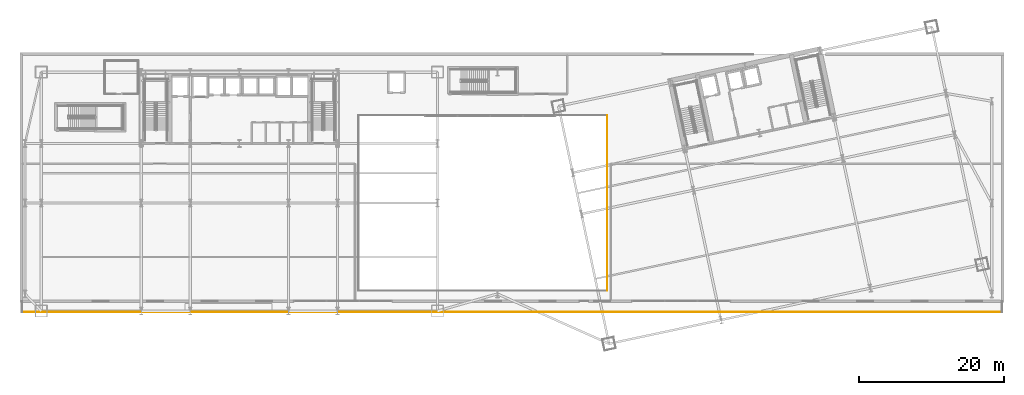
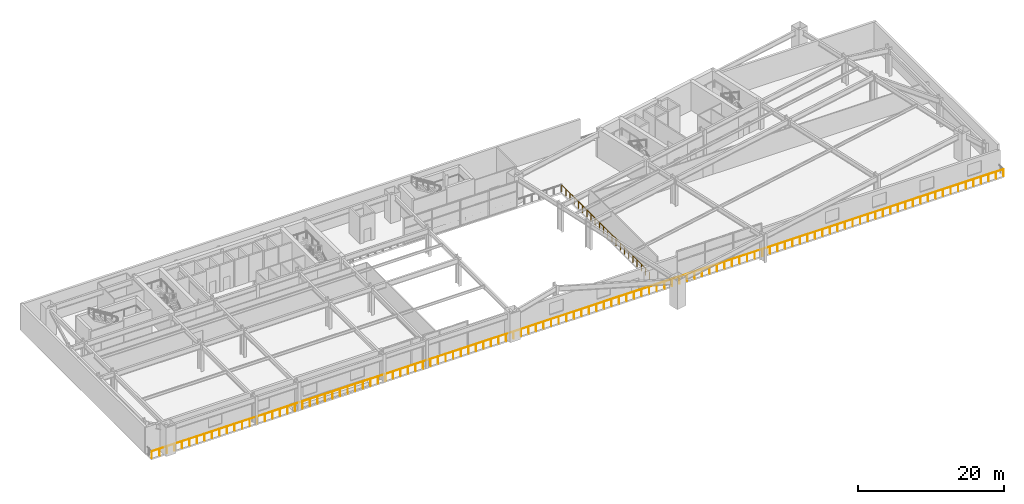
# One storey, part 31 of 35: 2 railings.
"""IFC4 building model written with IfcOpenShell, lengths in metres."""

from ifc_helpers import new_model, si_unit, direction, frame, origin, origin_2d, place, context, subcontext, project, spatial, rectangle, extrude, material, type_object, element, save


model = new_model("IFC4")

# Units and contexts
model_context = context("Model", 3, precision=1e-05, world=origin(), true_north=direction((0.0, 1.0)))
body_context = subcontext(model_context, "Body", "Model", "MODEL_VIEW")
ifc_project = project(units=[si_unit("LENGTHUNIT", "METRE"), si_unit("AREAUNIT", "SQUARE_METRE"), si_unit("VOLUMEUNIT", "CUBIC_METRE"), si_unit("PLANEANGLEUNIT", "RADIAN"), si_unit("MASSUNIT", "GRAM", prefix="KILO")], contexts=[model_context])

# Site, building, storey
site_placement = place(None, origin())
site = spatial("IfcSite", under=ifc_project, at=site_placement, CompositionType="ELEMENT")
building_placement = place(site_placement, origin())
building = spatial("IfcBuilding", under=site, at=building_placement, Name="Haevon Station Towers", CompositionType="ELEMENT")
storey_placement = place(building_placement, frame((0.0, 0.0, 20.39990234375)))
storey = spatial("IfcBuildingStorey", under=building, at=storey_placement, Name="L04", CompositionType="ELEMENT", Elevation=20.39990234375)

# Railings
ifc_material = material(Name="Steel S355", Category="steel")
railing_type_1 = type_object("IfcRailingType", Name="BAL-ATR1200", PredefinedType="BALUSTRADE", material=ifc_material)
railing_1_placement = place(storey_placement, frame((88.09814453125, 17.930908203125, 0.0)))
element("IfcRailing", 1, at=railing_1_placement, inside=storey, type_object=railing_type_1, Name="L04 Atrium Void Balustrade 2", PredefinedType="BALUSTRADE", context=body_context, shape_type="SweptSolid", body=[
    extrude(rectangle(XDim=0.048095703125, YDim=0.048095703125, at=origin_2d()), frame((0.0, 0.0, 1.17578125), z_axis=(0.0, 1.0, 0.0), x_axis=(-1.0, 0.0, 0.0)), (0.0, 0.0, 1.0), 24.13818359375),
    extrude(rectangle(XDim=0.0419921875, YDim=0.0419921875, at=origin_2d()), origin(), (0.0, 0.0, 1.0), 1.15185546875),
    extrude(rectangle(XDim=0.0419921875, YDim=0.0419921875, at=origin_2d()), frame((0.0, 1.1494140625, 0.0)), (0.0, 0.0, 1.0), 1.15185546875),
    extrude(rectangle(XDim=0.0419921875, YDim=0.0419921875, at=origin_2d()), frame((0.0, 2.298828125, 0.0)), (0.0, 0.0, 1.0), 1.15185546875),
    extrude(rectangle(XDim=0.0419921875, YDim=0.0419921875, at=origin_2d()), frame((0.0, 3.4482421875, 0.0)), (0.0, 0.0, 1.0), 1.15185546875),
    extrude(rectangle(XDim=0.0419921875, YDim=0.0419921875, at=origin_2d()), frame((0.0, 4.59765625, 0.0)), (0.0, 0.0, 1.0), 1.15185546875),
    extrude(rectangle(XDim=0.0419921875, YDim=0.0419921875, at=origin_2d()), frame((0.0, 5.7470703125, 0.0)), (0.0, 0.0, 1.0), 1.15185546875),
    extrude(rectangle(XDim=0.0419921875, YDim=0.0419921875, at=origin_2d()), frame((0.0, 6.896728515625, 0.0)), (0.0, 0.0, 1.0), 1.15185546875),
    extrude(rectangle(XDim=0.0419921875, YDim=0.0419921875, at=origin_2d()), frame((0.0, 8.046142578125, 0.0)), (0.0, 0.0, 1.0), 1.15185546875),
    extrude(rectangle(XDim=0.0419921875, YDim=0.0419921875, at=origin_2d()), frame((0.0, 9.195556640625, 0.0)), (0.0, 0.0, 1.0), 1.15185546875),
    extrude(rectangle(XDim=0.0419921875, YDim=0.0419921875, at=origin_2d()), frame((0.0, 10.344970703125, 0.0)), (0.0, 0.0, 1.0), 1.15185546875),
    extrude(rectangle(XDim=0.0419921875, YDim=0.0419921875, at=origin_2d()), frame((0.0, 11.494384765625, 0.0)), (0.0, 0.0, 1.0), 1.15185546875),
    extrude(rectangle(XDim=0.0419921875, YDim=0.0419921875, at=origin_2d()), frame((0.0, 12.643798828125, 0.0)), (0.0, 0.0, 1.0), 1.15185546875),
    extrude(rectangle(XDim=0.0419921875, YDim=0.0419921875, at=origin_2d()), frame((0.0, 13.793212890625, 0.0)), (0.0, 0.0, 1.0), 1.15185546875),
    extrude(rectangle(XDim=0.0419921875, YDim=0.0419921875, at=origin_2d()), frame((0.0, 14.942626953125, 0.0)), (0.0, 0.0, 1.0), 1.15185546875),
    extrude(rectangle(XDim=0.0419921875, YDim=0.0419921875, at=origin_2d()), frame((0.0, 16.092041015625, 0.0)), (0.0, 0.0, 1.0), 1.15185546875),
    extrude(rectangle(XDim=0.0419921875, YDim=0.0419921875, at=origin_2d()), frame((0.0, 17.241455078125, 0.0)), (0.0, 0.0, 1.0), 1.15185546875),
    extrude(rectangle(XDim=0.0419921875, YDim=0.0419921875, at=origin_2d()), frame((0.0, 18.39111328125, 0.0)), (0.0, 0.0, 1.0), 1.15185546875),
    extrude(rectangle(XDim=0.0419921875, YDim=0.0419921875, at=origin_2d()), frame((0.0, 19.54052734375, 0.0)), (0.0, 0.0, 1.0), 1.15185546875),
    extrude(rectangle(XDim=0.0419921875, YDim=0.0419921875, at=origin_2d()), frame((0.0, 20.68994140625, 0.0)), (0.0, 0.0, 1.0), 1.15185546875),
    extrude(rectangle(XDim=0.0419921875, YDim=0.0419921875, at=origin_2d()), frame((0.0, 21.83935546875, 0.0)), (0.0, 0.0, 1.0), 1.15185546875),
    extrude(rectangle(XDim=0.0419921875, YDim=0.0419921875, at=origin_2d()), frame((0.0, 22.98876953125, 0.0)), (0.0, 0.0, 1.0), 1.15185546875),
    extrude(rectangle(XDim=0.0419921875, YDim=0.0419921875, at=origin_2d()), frame((0.0, 24.13818359375, 0.0)), (0.0, 0.0, 1.0), 1.15185546875),
])
railing_type_2 = type_object("IfcRailingType", Name="GRD-EXT1200", PredefinedType="GUARDRAIL", material=ifc_material)
railing_2_placement = place(storey_placement, frame((7.580078125, 15.0009765625, 0.0)))
element("IfcRailing", 2, at=railing_2_placement, inside=storey, type_object=railing_type_2, Name="L04 Perimeter Guardrail 1", PredefinedType="GUARDRAIL", context=body_context, shape_type="SweptSolid", body=[
    extrude(rectangle(XDim=0.048095703125, YDim=0.048095703125, at=origin_2d()), frame((0.0, 0.0, 1.17578125), z_axis=(1.0, 0.0, 0.0), x_axis=(0.0, 1.0, 0.0)), (0.0, 0.0, 1.0), 134.83984375),
    extrude(rectangle(XDim=0.0419921875, YDim=0.0419921875, at=origin_2d()), origin(), (0.0, 0.0, 1.0), 1.15185546875),
    extrude(rectangle(XDim=0.0419921875, YDim=0.0419921875, at=origin_2d()), frame((1.193359375, 0.0, 0.0)), (0.0, 0.0, 1.0), 1.15185546875),
    extrude(rectangle(XDim=0.0419921875, YDim=0.0419921875, at=origin_2d()), frame((2.386474609375, 0.0, 0.0)), (0.0, 0.0, 1.0), 1.15185546875),
    extrude(rectangle(XDim=0.0419921875, YDim=0.0419921875, at=origin_2d()), frame((3.579833984375, 0.0, 0.0)), (0.0, 0.0, 1.0), 1.15185546875),
    extrude(rectangle(XDim=0.0419921875, YDim=0.0419921875, at=origin_2d()), frame((4.773193359375, 0.0, 0.0)), (0.0, 0.0, 1.0), 1.15185546875),
    extrude(rectangle(XDim=0.0419921875, YDim=0.0419921875, at=origin_2d()), frame((5.96630859375, 0.0, 0.0)), (0.0, 0.0, 1.0), 1.15185546875),
    extrude(rectangle(XDim=0.0419921875, YDim=0.0419921875, at=origin_2d()), frame((7.15966796875, 0.0, 0.0)), (0.0, 0.0, 1.0), 1.15185546875),
    extrude(rectangle(XDim=0.0419921875, YDim=0.0419921875, at=origin_2d()), frame((8.35302734375, 0.0, 0.0)), (0.0, 0.0, 1.0), 1.15185546875),
    extrude(rectangle(XDim=0.0419921875, YDim=0.0419921875, at=origin_2d()), frame((9.546142578125, 0.0, 0.0)), (0.0, 0.0, 1.0), 1.15185546875),
    extrude(rectangle(XDim=0.0419921875, YDim=0.0419921875, at=origin_2d()), frame((10.739501953125, 0.0, 0.0)), (0.0, 0.0, 1.0), 1.15185546875),
    extrude(rectangle(XDim=0.0419921875, YDim=0.0419921875, at=origin_2d()), frame((11.9326171875, 0.0, 0.0)), (0.0, 0.0, 1.0), 1.15185546875),
    extrude(rectangle(XDim=0.0419921875, YDim=0.0419921875, at=origin_2d()), frame((13.1259765625, 0.0, 0.0)), (0.0, 0.0, 1.0), 1.15185546875),
    extrude(rectangle(XDim=0.0419921875, YDim=0.0419921875, at=origin_2d()), frame((14.3193359375, 0.0, 0.0)), (0.0, 0.0, 1.0), 1.15185546875),
    extrude(rectangle(XDim=0.0419921875, YDim=0.0419921875, at=origin_2d()), frame((15.512451171875, 0.0, 0.0)), (0.0, 0.0, 1.0), 1.15185546875),
    extrude(rectangle(XDim=0.0419921875, YDim=0.0419921875, at=origin_2d()), frame((16.705810546875, 0.0, 0.0)), (0.0, 0.0, 1.0), 1.15185546875),
    extrude(rectangle(XDim=0.0419921875, YDim=0.0419921875, at=origin_2d()), frame((17.899169921875, 0.0, 0.0)), (0.0, 0.0, 1.0), 1.15185546875),
    extrude(rectangle(XDim=0.0419921875, YDim=0.0419921875, at=origin_2d()), frame((19.09228515625, 0.0, 0.0)), (0.0, 0.0, 1.0), 1.15185546875),
    extrude(rectangle(XDim=0.0419921875, YDim=0.0419921875, at=origin_2d()), frame((20.28564453125, 0.0, 0.0)), (0.0, 0.0, 1.0), 1.15185546875),
    extrude(rectangle(XDim=0.0419921875, YDim=0.0419921875, at=origin_2d()), frame((21.47900390625, 0.0, 0.0)), (0.0, 0.0, 1.0), 1.15185546875),
    extrude(rectangle(XDim=0.0419921875, YDim=0.0419921875, at=origin_2d()), frame((22.672119140625, 0.0, 0.0)), (0.0, 0.0, 1.0), 1.15185546875),
    extrude(rectangle(XDim=0.0419921875, YDim=0.0419921875, at=origin_2d()), frame((23.865478515625, 0.0, 0.0)), (0.0, 0.0, 1.0), 1.15185546875),
    extrude(rectangle(XDim=0.0419921875, YDim=0.0419921875, at=origin_2d()), frame((25.058837890625, 0.0, 0.0)), (0.0, 0.0, 1.0), 1.15185546875),
    extrude(rectangle(XDim=0.0419921875, YDim=0.0419921875, at=origin_2d()), frame((26.251953125, 0.0, 0.0)), (0.0, 0.0, 1.0), 1.15185546875),
    extrude(rectangle(XDim=0.0419921875, YDim=0.0419921875, at=origin_2d()), frame((27.4453125, 0.0, 0.0)), (0.0, 0.0, 1.0), 1.15185546875),
    extrude(rectangle(XDim=0.0419921875, YDim=0.0419921875, at=origin_2d()), frame((28.638671875, 0.0, 0.0)), (0.0, 0.0, 1.0), 1.15185546875),
    extrude(rectangle(XDim=0.0419921875, YDim=0.0419921875, at=origin_2d()), frame((29.831787109375, 0.0, 0.0)), (0.0, 0.0, 1.0), 1.15185546875),
    extrude(rectangle(XDim=0.0419921875, YDim=0.0419921875, at=origin_2d()), frame((31.025146484375, 0.0, 0.0)), (0.0, 0.0, 1.0), 1.15185546875),
    extrude(rectangle(XDim=0.0419921875, YDim=0.0419921875, at=origin_2d()), frame((32.21826171875, 0.0, 0.0)), (0.0, 0.0, 1.0), 1.15185546875),
    extrude(rectangle(XDim=0.0419921875, YDim=0.0419921875, at=origin_2d()), frame((33.41162109375, 0.0, 0.0)), (0.0, 0.0, 1.0), 1.15185546875),
    extrude(rectangle(XDim=0.0419921875, YDim=0.0419921875, at=origin_2d()), frame((34.60498046875, 0.0, 0.0)), (0.0, 0.0, 1.0), 1.15185546875),
    extrude(rectangle(XDim=0.0419921875, YDim=0.0419921875, at=origin_2d()), frame((35.798095703125, 0.0, 0.0)), (0.0, 0.0, 1.0), 1.15185546875),
    extrude(rectangle(XDim=0.0419921875, YDim=0.0419921875, at=origin_2d()), frame((36.991455078125, 0.0, 0.0)), (0.0, 0.0, 1.0), 1.15185546875),
    extrude(rectangle(XDim=0.0419921875, YDim=0.0419921875, at=origin_2d()), frame((38.184814453125, 0.0, 0.0)), (0.0, 0.0, 1.0), 1.15185546875),
    extrude(rectangle(XDim=0.0419921875, YDim=0.0419921875, at=origin_2d()), frame((39.3779296875, 0.0, 0.0)), (0.0, 0.0, 1.0), 1.15185546875),
    extrude(rectangle(XDim=0.0419921875, YDim=0.0419921875, at=origin_2d()), frame((40.5712890625, 0.0, 0.0)), (0.0, 0.0, 1.0), 1.15185546875),
    extrude(rectangle(XDim=0.0419921875, YDim=0.0419921875, at=origin_2d()), frame((41.7646484375, 0.0, 0.0)), (0.0, 0.0, 1.0), 1.15185546875),
    extrude(rectangle(XDim=0.0419921875, YDim=0.0419921875, at=origin_2d()), frame((42.957763671875, 0.0, 0.0)), (0.0, 0.0, 1.0), 1.15185546875),
    extrude(rectangle(XDim=0.0419921875, YDim=0.0419921875, at=origin_2d()), frame((44.151123046875, 0.0, 0.0)), (0.0, 0.0, 1.0), 1.15185546875),
    extrude(rectangle(XDim=0.0419921875, YDim=0.0419921875, at=origin_2d()), frame((45.344482421875, 0.0, 0.0)), (0.0, 0.0, 1.0), 1.15185546875),
    extrude(rectangle(XDim=0.0419921875, YDim=0.0419921875, at=origin_2d()), frame((46.53759765625, 0.0, 0.0)), (0.0, 0.0, 1.0), 1.15185546875),
    extrude(rectangle(XDim=0.0419921875, YDim=0.0419921875, at=origin_2d()), frame((47.73095703125, 0.0, 0.0)), (0.0, 0.0, 1.0), 1.15185546875),
    extrude(rectangle(XDim=0.0419921875, YDim=0.0419921875, at=origin_2d()), frame((48.924072265625, 0.0, 0.0)), (0.0, 0.0, 1.0), 1.15185546875),
    extrude(rectangle(XDim=0.0419921875, YDim=0.0419921875, at=origin_2d()), frame((50.117431640625, 0.0, 0.0)), (0.0, 0.0, 1.0), 1.15185546875),
    extrude(rectangle(XDim=0.0419921875, YDim=0.0419921875, at=origin_2d()), frame((51.310791015625, 0.0, 0.0)), (0.0, 0.0, 1.0), 1.15185546875),
    extrude(rectangle(XDim=0.0419921875, YDim=0.0419921875, at=origin_2d()), frame((52.50390625, 0.0, 0.0)), (0.0, 0.0, 1.0), 1.15185546875),
    extrude(rectangle(XDim=0.0419921875, YDim=0.0419921875, at=origin_2d()), frame((53.697265625, 0.0, 0.0)), (0.0, 0.0, 1.0), 1.15185546875),
    extrude(rectangle(XDim=0.0419921875, YDim=0.0419921875, at=origin_2d()), frame((54.890625, 0.0, 0.0)), (0.0, 0.0, 1.0), 1.15185546875),
    extrude(rectangle(XDim=0.0419921875, YDim=0.0419921875, at=origin_2d()), frame((56.083740234375, 0.0, 0.0)), (0.0, 0.0, 1.0), 1.15185546875),
    extrude(rectangle(XDim=0.0419921875, YDim=0.0419921875, at=origin_2d()), frame((57.277099609375, 0.0, 0.0)), (0.0, 0.0, 1.0), 1.15185546875),
    extrude(rectangle(XDim=0.0419921875, YDim=0.0419921875, at=origin_2d()), frame((58.470458984375, 0.0, 0.0)), (0.0, 0.0, 1.0), 1.15185546875),
    extrude(rectangle(XDim=0.0419921875, YDim=0.0419921875, at=origin_2d()), frame((59.66357421875, 0.0, 0.0)), (0.0, 0.0, 1.0), 1.15185546875),
    extrude(rectangle(XDim=0.0419921875, YDim=0.0419921875, at=origin_2d()), frame((60.85693359375, 0.0, 0.0)), (0.0, 0.0, 1.0), 1.15185546875),
    extrude(rectangle(XDim=0.0419921875, YDim=0.0419921875, at=origin_2d()), frame((62.05029296875, 0.0, 0.0)), (0.0, 0.0, 1.0), 1.15185546875),
    extrude(rectangle(XDim=0.0419921875, YDim=0.0419921875, at=origin_2d()), frame((63.243408203125, 0.0, 0.0)), (0.0, 0.0, 1.0), 1.15185546875),
    extrude(rectangle(XDim=0.0419921875, YDim=0.0419921875, at=origin_2d()), frame((64.436767578125, 0.0, 0.0)), (0.0, 0.0, 1.0), 1.15185546875),
    extrude(rectangle(XDim=0.0419921875, YDim=0.0419921875, at=origin_2d()), frame((65.630126953125, 0.0, 0.0)), (0.0, 0.0, 1.0), 1.15185546875),
    extrude(rectangle(XDim=0.0419921875, YDim=0.0419921875, at=origin_2d()), frame((66.8232421875, 0.0, 0.0)), (0.0, 0.0, 1.0), 1.15185546875),
    extrude(rectangle(XDim=0.0419921875, YDim=0.0419921875, at=origin_2d()), frame((68.0166015625, 0.0, 0.0)), (0.0, 0.0, 1.0), 1.15185546875),
    extrude(rectangle(XDim=0.0419921875, YDim=0.0419921875, at=origin_2d()), frame((69.209716796875, 0.0, 0.0)), (0.0, 0.0, 1.0), 1.15185546875),
    extrude(rectangle(XDim=0.0419921875, YDim=0.0419921875, at=origin_2d()), frame((70.403076171875, 0.0, 0.0)), (0.0, 0.0, 1.0), 1.15185546875),
    extrude(rectangle(XDim=0.0419921875, YDim=0.0419921875, at=origin_2d()), frame((71.596435546875, 0.0, 0.0)), (0.0, 0.0, 1.0), 1.15185546875),
    extrude(rectangle(XDim=0.0419921875, YDim=0.0419921875, at=origin_2d()), frame((72.78955078125, 0.0, 0.0)), (0.0, 0.0, 1.0), 1.15185546875),
    extrude(rectangle(XDim=0.0419921875, YDim=0.0419921875, at=origin_2d()), frame((73.98291015625, 0.0, 0.0)), (0.0, 0.0, 1.0), 1.15185546875),
    extrude(rectangle(XDim=0.0419921875, YDim=0.0419921875, at=origin_2d()), frame((75.17626953125, 0.0, 0.0)), (0.0, 0.0, 1.0), 1.15185546875),
    extrude(rectangle(XDim=0.0419921875, YDim=0.0419921875, at=origin_2d()), frame((76.369384765625, 0.0, 0.0)), (0.0, 0.0, 1.0), 1.15185546875),
    extrude(rectangle(XDim=0.0419921875, YDim=0.0419921875, at=origin_2d()), frame((77.562744140625, 0.0, 0.0)), (0.0, 0.0, 1.0), 1.15185546875),
    extrude(rectangle(XDim=0.0419921875, YDim=0.0419921875, at=origin_2d()), frame((78.756103515625, 0.0, 0.0)), (0.0, 0.0, 1.0), 1.15185546875),
    extrude(rectangle(XDim=0.0419921875, YDim=0.0419921875, at=origin_2d()), frame((79.94921875, 0.0, 0.0)), (0.0, 0.0, 1.0), 1.15185546875),
    extrude(rectangle(XDim=0.0419921875, YDim=0.0419921875, at=origin_2d()), frame((81.142578125, 0.0, 0.0)), (0.0, 0.0, 1.0), 1.15185546875),
    extrude(rectangle(XDim=0.0419921875, YDim=0.0419921875, at=origin_2d()), frame((82.3359375, 0.0, 0.0)), (0.0, 0.0, 1.0), 1.15185546875),
    extrude(rectangle(XDim=0.0419921875, YDim=0.0419921875, at=origin_2d()), frame((83.529052734375, 0.0, 0.0)), (0.0, 0.0, 1.0), 1.15185546875),
    extrude(rectangle(XDim=0.0419921875, YDim=0.0419921875, at=origin_2d()), frame((84.722412109375, 0.0, 0.0)), (0.0, 0.0, 1.0), 1.15185546875),
    extrude(rectangle(XDim=0.0419921875, YDim=0.0419921875, at=origin_2d()), frame((85.915771484375, 0.0, 0.0)), (0.0, 0.0, 1.0), 1.15185546875),
    extrude(rectangle(XDim=0.0419921875, YDim=0.0419921875, at=origin_2d()), frame((87.10888671875, 0.0, 0.0)), (0.0, 0.0, 1.0), 1.15185546875),
    extrude(rectangle(XDim=0.0419921875, YDim=0.0419921875, at=origin_2d()), frame((88.30224609375, 0.0, 0.0)), (0.0, 0.0, 1.0), 1.15185546875),
    extrude(rectangle(XDim=0.0419921875, YDim=0.0419921875, at=origin_2d()), frame((89.495361328125, 0.0, 0.0)), (0.0, 0.0, 1.0), 1.15185546875),
    extrude(rectangle(XDim=0.0419921875, YDim=0.0419921875, at=origin_2d()), frame((90.688720703125, 0.0, 0.0)), (0.0, 0.0, 1.0), 1.15185546875),
    extrude(rectangle(XDim=0.0419921875, YDim=0.0419921875, at=origin_2d()), frame((91.882080078125, 0.0, 0.0)), (0.0, 0.0, 1.0), 1.15185546875),
    extrude(rectangle(XDim=0.0419921875, YDim=0.0419921875, at=origin_2d()), frame((93.0751953125, 0.0, 0.0)), (0.0, 0.0, 1.0), 1.15185546875),
    extrude(rectangle(XDim=0.0419921875, YDim=0.0419921875, at=origin_2d()), frame((94.2685546875, 0.0, 0.0)), (0.0, 0.0, 1.0), 1.15185546875),
    extrude(rectangle(XDim=0.0419921875, YDim=0.0419921875, at=origin_2d()), frame((95.4619140625, 0.0, 0.0)), (0.0, 0.0, 1.0), 1.15185546875),
    extrude(rectangle(XDim=0.0419921875, YDim=0.0419921875, at=origin_2d()), frame((96.655029296875, 0.0, 0.0)), (0.0, 0.0, 1.0), 1.15185546875),
    extrude(rectangle(XDim=0.0419921875, YDim=0.0419921875, at=origin_2d()), frame((97.848388671875, 0.0, 0.0)), (0.0, 0.0, 1.0), 1.15185546875),
    extrude(rectangle(XDim=0.0419921875, YDim=0.0419921875, at=origin_2d()), frame((99.041748046875, 0.0, 0.0)), (0.0, 0.0, 1.0), 1.15185546875),
    extrude(rectangle(XDim=0.0419921875, YDim=0.0419921875, at=origin_2d()), frame((100.23486328125, 0.0, 0.0)), (0.0, 0.0, 1.0), 1.15185546875),
    extrude(rectangle(XDim=0.0419921875, YDim=0.0419921875, at=origin_2d()), frame((101.42822265625, 0.0, 0.0)), (0.0, 0.0, 1.0), 1.15185546875),
    extrude(rectangle(XDim=0.0419921875, YDim=0.0419921875, at=origin_2d()), frame((102.62158203125, 0.0, 0.0)), (0.0, 0.0, 1.0), 1.15185546875),
    extrude(rectangle(XDim=0.0419921875, YDim=0.0419921875, at=origin_2d()), frame((103.814697265625, 0.0, 0.0)), (0.0, 0.0, 1.0), 1.15185546875),
    extrude(rectangle(XDim=0.0419921875, YDim=0.0419921875, at=origin_2d()), frame((105.008056640625, 0.0, 0.0)), (0.0, 0.0, 1.0), 1.15185546875),
    extrude(rectangle(XDim=0.0419921875, YDim=0.0419921875, at=origin_2d()), frame((106.201171875, 0.0, 0.0)), (0.0, 0.0, 1.0), 1.15185546875),
    extrude(rectangle(XDim=0.0419921875, YDim=0.0419921875, at=origin_2d()), frame((107.39453125, 0.0, 0.0)), (0.0, 0.0, 1.0), 1.15185546875),
    extrude(rectangle(XDim=0.0419921875, YDim=0.0419921875, at=origin_2d()), frame((108.587890625, 0.0, 0.0)), (0.0, 0.0, 1.0), 1.15185546875),
    extrude(rectangle(XDim=0.0419921875, YDim=0.0419921875, at=origin_2d()), frame((109.781005859375, 0.0, 0.0)), (0.0, 0.0, 1.0), 1.15185546875),
    extrude(rectangle(XDim=0.0419921875, YDim=0.0419921875, at=origin_2d()), frame((110.974365234375, 0.0, 0.0)), (0.0, 0.0, 1.0), 1.15185546875),
    extrude(rectangle(XDim=0.0419921875, YDim=0.0419921875, at=origin_2d()), frame((112.167724609375, 0.0, 0.0)), (0.0, 0.0, 1.0), 1.15185546875),
    extrude(rectangle(XDim=0.0419921875, YDim=0.0419921875, at=origin_2d()), frame((113.36083984375, 0.0, 0.0)), (0.0, 0.0, 1.0), 1.15185546875),
    extrude(rectangle(XDim=0.0419921875, YDim=0.0419921875, at=origin_2d()), frame((114.55419921875, 0.0, 0.0)), (0.0, 0.0, 1.0), 1.15185546875),
    extrude(rectangle(XDim=0.0419921875, YDim=0.0419921875, at=origin_2d()), frame((115.74755859375, 0.0, 0.0)), (0.0, 0.0, 1.0), 1.15185546875),
    extrude(rectangle(XDim=0.0419921875, YDim=0.0419921875, at=origin_2d()), frame((116.940673828125, 0.0, 0.0)), (0.0, 0.0, 1.0), 1.15185546875),
    extrude(rectangle(XDim=0.0419921875, YDim=0.0419921875, at=origin_2d()), frame((118.134033203125, 0.0, 0.0)), (0.0, 0.0, 1.0), 1.15185546875),
    extrude(rectangle(XDim=0.0419921875, YDim=0.0419921875, at=origin_2d()), frame((119.327392578125, 0.0, 0.0)), (0.0, 0.0, 1.0), 1.15185546875),
    extrude(rectangle(XDim=0.0419921875, YDim=0.0419921875, at=origin_2d()), frame((120.5205078125, 0.0, 0.0)), (0.0, 0.0, 1.0), 1.15185546875),
    extrude(rectangle(XDim=0.0419921875, YDim=0.0419921875, at=origin_2d()), frame((121.7138671875, 0.0, 0.0)), (0.0, 0.0, 1.0), 1.15185546875),
    extrude(rectangle(XDim=0.0419921875, YDim=0.0419921875, at=origin_2d()), frame((122.9072265625, 0.0, 0.0)), (0.0, 0.0, 1.0), 1.15185546875),
    extrude(rectangle(XDim=0.0419921875, YDim=0.0419921875, at=origin_2d()), frame((124.100341796875, 0.0, 0.0)), (0.0, 0.0, 1.0), 1.15185546875),
    extrude(rectangle(XDim=0.0419921875, YDim=0.0419921875, at=origin_2d()), frame((125.293701171875, 0.0, 0.0)), (0.0, 0.0, 1.0), 1.15185546875),
    extrude(rectangle(XDim=0.0419921875, YDim=0.0419921875, at=origin_2d()), frame((126.48681640625, 0.0, 0.0)), (0.0, 0.0, 1.0), 1.15185546875),
    extrude(rectangle(XDim=0.0419921875, YDim=0.0419921875, at=origin_2d()), frame((127.68017578125, 0.0, 0.0)), (0.0, 0.0, 1.0), 1.15185546875),
    extrude(rectangle(XDim=0.0419921875, YDim=0.0419921875, at=origin_2d()), frame((128.87353515625, 0.0, 0.0)), (0.0, 0.0, 1.0), 1.15185546875),
    extrude(rectangle(XDim=0.0419921875, YDim=0.0419921875, at=origin_2d()), frame((130.066650390625, 0.0, 0.0)), (0.0, 0.0, 1.0), 1.15185546875),
    extrude(rectangle(XDim=0.0419921875, YDim=0.0419921875, at=origin_2d()), frame((131.260009765625, 0.0, 0.0)), (0.0, 0.0, 1.0), 1.15185546875),
    extrude(rectangle(XDim=0.0419921875, YDim=0.0419921875, at=origin_2d()), frame((132.453369140625, 0.0, 0.0)), (0.0, 0.0, 1.0), 1.15185546875),
    extrude(rectangle(XDim=0.0419921875, YDim=0.0419921875, at=origin_2d()), frame((133.646484375, 0.0, 0.0)), (0.0, 0.0, 1.0), 1.15185546875),
    extrude(rectangle(XDim=0.0419921875, YDim=0.0419921875, at=origin_2d()), frame((134.83984375, 0.0, 0.0)), (0.0, 0.0, 1.0), 1.15185546875),
])

save(model, "model.ifc")
